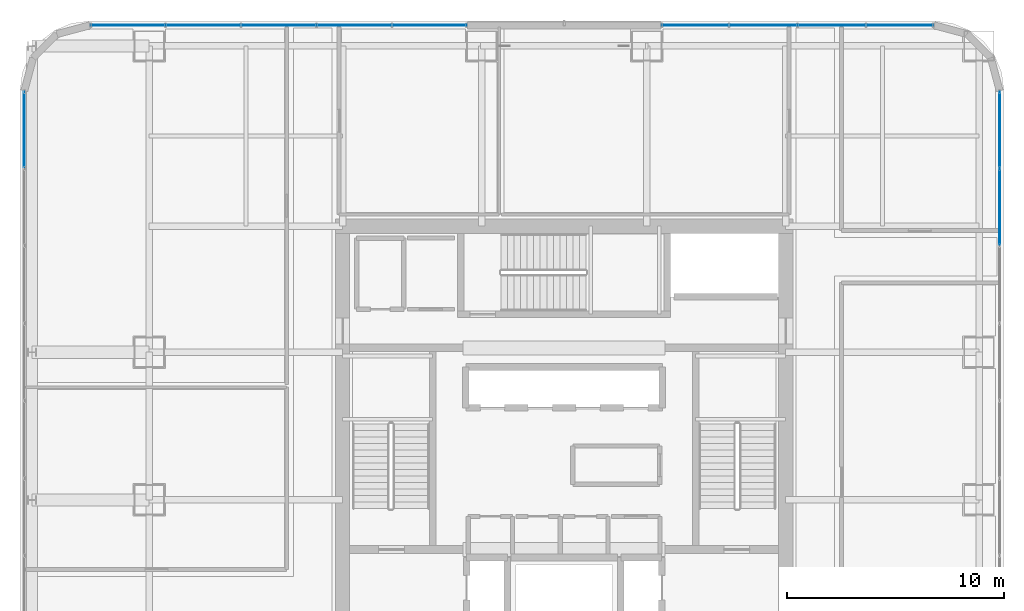
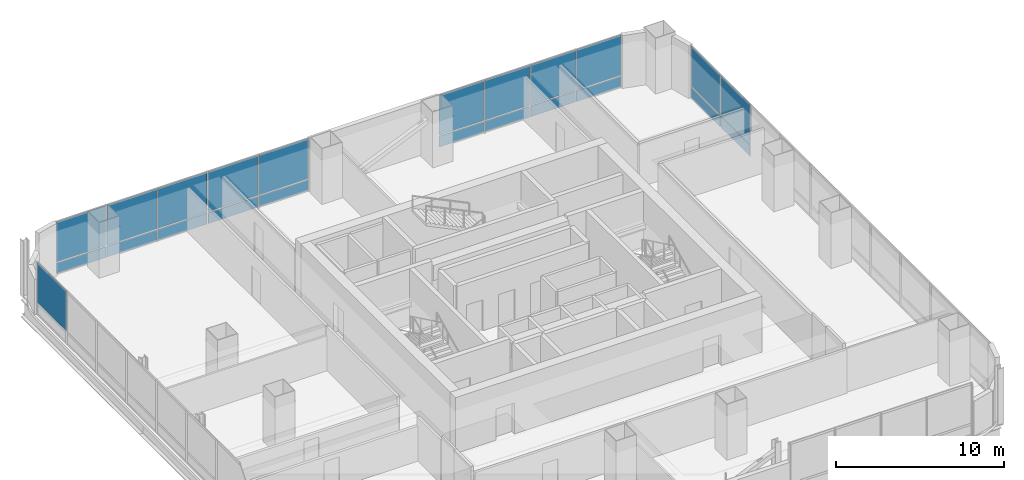
# One storey, part 26 of 38: 23 plates, 4 elements without a shape of their own.
"""IFC4 building model written with IfcOpenShell, lengths in metres."""

from ifc_helpers import new_model, si_unit, direction, frame, origin, origin_2d, place, context, subcontext, project, spatial, rectangle, extrude, material, layer, layer_set, type_object, element, aggregate, save


model = new_model("IFC4")

# Units and contexts
model_context = context("Model", 3, precision=1e-05, world=origin(), true_north=direction((0.0, 1.0)))
body_context = subcontext(model_context, "Body", "Model", "MODEL_VIEW")
ifc_project = project(units=[si_unit("LENGTHUNIT", "METRE"), si_unit("AREAUNIT", "SQUARE_METRE"), si_unit("VOLUMEUNIT", "CUBIC_METRE"), si_unit("PLANEANGLEUNIT", "RADIAN"), si_unit("MASSUNIT", "GRAM", prefix="KILO")], contexts=[model_context])

# Site, building, storey
site_placement = place(None, origin())
site = spatial("IfcSite", under=ifc_project, at=site_placement, CompositionType="ELEMENT")
building_placement = place(site_placement, origin())
building = spatial("IfcBuilding", under=site, at=building_placement, Name="Punatoya Terracotta Tower", CompositionType="ELEMENT")
storey_placement = place(building_placement, frame((0.0, 0.0, 188.39990234375)))
storey = spatial("IfcBuildingStorey", under=building, at=storey_placement, Name="L44", CompositionType="ELEMENT", Elevation=188.39990234375)

# Curtain wall, plates
ifc_material_1 = material(Name="Aluminium 6063-T6 + Double Low-E Glass", Category="aluminium")
curtain_wall_type = type_object("IfcCurtainWallType", Name="CW-M2", PredefinedType="NOTDEFINED", material=ifc_material_1)
curtain_wall_1_placement = place(storey_placement, origin())
curtain_wall_1 = element("IfcCurtainWall", 1, at=curtain_wall_1_placement, inside=storey, type_object=curtain_wall_type, Name="L44 Curtain Wall CW-L44-E05-1", PredefinedType="NOTDEFINED")
ifc_material_2 = material(Name="Double Low-E Acoustic Vision Glass", Category="glass")
ifc_layer_1 = layer(ifc_material_2, 0.031982421875)
ifc_layer_set_1 = layer_set([ifc_layer_1], Name="Double Low-E Acoustic Vision Glass")
plate_type_1 = type_object("IfcPlateType", Name="PLT-GLZ-32", PredefinedType="CURTAIN_PANEL", material=ifc_layer_set_1)
plate_1_placement = place(storey_placement, frame((20.050048828125, 10.085693359375, 0.89013671875), z_axis=(0.0, 0.0, 1.0), x_axis=(0.0, 1.0, 0.0)))
plate_1 = element("IfcPlate", 2, at=plate_1_placement, type_object=plate_type_1, Name="CW-L44-E05-1 Vision Glass Panel 9", PredefinedType="CURTAIN_PANEL", context=body_context, shape_type="SweptSolid", body=[
    extrude(rectangle(XDim=3.482421875, YDim=0.031982421875, at=origin_2d()), origin(), (0.0, 0.0, 1.0), 2.89990234375),
])
plate_2_placement = place(storey_placement, frame((20.050048828125, 13.6533203125, 0.89013671875), z_axis=(0.0, 0.0, 1.0), x_axis=(0.0, 1.0, 0.0)))
plate_2 = element("IfcPlate", 3, at=plate_2_placement, type_object=plate_type_1, Name="CW-L44-E05-1 Vision Glass Panel 10", PredefinedType="CURTAIN_PANEL", context=body_context, shape_type="SweptSolid", body=[
    extrude(rectangle(XDim=3.482421875, YDim=0.031982421875, at=origin_2d()), origin(), (0.0, 0.0, 1.0), 2.89990234375),
])

curtain_wall_2_placement = place(storey_placement, origin())
curtain_wall_2 = element("IfcCurtainWall", 4, at=curtain_wall_2_placement, inside=storey, type_object=curtain_wall_type, Name="L44 Curtain Wall CW-L44-N09-1", PredefinedType="NOTDEFINED")
plate_3_placement = place(storey_placement, frame((15.46337890625, 18.449951171875, 0.89013671875), z_axis=(0.0, 0.0, 1.0), x_axis=(-1.0, 0.0, 0.0)))
plate_3 = element("IfcPlate", 5, at=plate_3_placement, type_object=plate_type_1, Name="CW-L44-N09-1 Vision Glass Panel 1", PredefinedType="CURTAIN_PANEL", context=body_context, shape_type="SweptSolid", body=[
    extrude(rectangle(XDim=3.061767578125, YDim=0.031982421875, at=origin_2d()), origin(), (0.0, 0.0, 1.0), 2.89990234375),
])
plate_4_placement = place(storey_placement, frame((12.31689453125, 18.449951171875, 0.89013671875), z_axis=(0.0, 0.0, 1.0), x_axis=(-1.0, 0.0, 0.0)))
plate_4 = element("IfcPlate", 6, at=plate_4_placement, type_object=plate_type_1, Name="CW-L44-N09-1 Vision Glass Panel 2", PredefinedType="CURTAIN_PANEL", context=body_context, shape_type="SweptSolid", body=[
    extrude(rectangle(XDim=3.061767578125, YDim=0.031982421875, at=origin_2d()), origin(), (0.0, 0.0, 1.0), 2.89990234375),
])
plate_5_placement = place(storey_placement, frame((9.170166015625, 18.449951171875, 0.89013671875), z_axis=(0.0, 0.0, 1.0), x_axis=(-1.0, 0.0, 0.0)))
plate_5 = element("IfcPlate", 7, at=plate_5_placement, type_object=plate_type_1, Name="CW-L44-N09-1 Vision Glass Panel 3", PredefinedType="CURTAIN_PANEL", context=body_context, shape_type="SweptSolid", body=[
    extrude(rectangle(XDim=3.061767578125, YDim=0.031982421875, at=origin_2d()), origin(), (0.0, 0.0, 1.0), 2.89990234375),
])
plate_6_placement = place(storey_placement, frame((6.0234375, 18.449951171875, 0.89013671875), z_axis=(0.0, 0.0, 1.0), x_axis=(-1.0, 0.0, 0.0)))
plate_6 = element("IfcPlate", 8, at=plate_6_placement, type_object=plate_type_1, Name="CW-L44-N09-1 Vision Glass Panel 4", PredefinedType="CURTAIN_PANEL", context=body_context, shape_type="SweptSolid", body=[
    extrude(rectangle(XDim=3.061767578125, YDim=0.031982421875, at=origin_2d()), origin(), (0.0, 0.0, 1.0), 2.89990234375),
])

curtain_wall_3_placement = place(storey_placement, origin())
curtain_wall_3 = element("IfcCurtainWall", 9, at=curtain_wall_3_placement, inside=storey, type_object=curtain_wall_type, Name="L44 Curtain Wall CW-L44-N09-2", PredefinedType="NOTDEFINED")
plate_7_placement = place(storey_placement, frame((-6.188720703125, 18.449951171875, 0.89013671875), z_axis=(0.0, 0.0, 1.0), x_axis=(-1.0, 0.0, 0.0)))
plate_7 = element("IfcPlate", 10, at=plate_7_placement, type_object=plate_type_1, Name="CW-L44-N09-2 Vision Glass Panel 1", PredefinedType="CURTAIN_PANEL", context=body_context, shape_type="SweptSolid", body=[
    extrude(rectangle(XDim=3.392333984375, YDim=0.031982421875, at=origin_2d()), origin(), (0.0, 0.0, 1.0), 2.89990234375),
])
plate_8_placement = place(storey_placement, frame((-9.666015625, 18.449951171875, 0.89013671875), z_axis=(0.0, 0.0, 1.0), x_axis=(-1.0, 0.0, 0.0)))
plate_8 = element("IfcPlate", 11, at=plate_8_placement, type_object=plate_type_1, Name="CW-L44-N09-2 Vision Glass Panel 2", PredefinedType="CURTAIN_PANEL", context=body_context, shape_type="SweptSolid", body=[
    extrude(rectangle(XDim=3.392333984375, YDim=0.031982421875, at=origin_2d()), origin(), (0.0, 0.0, 1.0), 2.89990234375),
])
plate_9_placement = place(storey_placement, frame((-13.1435546875, 18.449951171875, 0.89013671875), z_axis=(0.0, 0.0, 1.0), x_axis=(-1.0, 0.0, 0.0)))
plate_9 = element("IfcPlate", 12, at=plate_9_placement, type_object=plate_type_1, Name="CW-L44-N09-2 Vision Glass Panel 3", PredefinedType="CURTAIN_PANEL", context=body_context, shape_type="SweptSolid", body=[
    extrude(rectangle(XDim=3.392333984375, YDim=0.031982421875, at=origin_2d()), origin(), (0.0, 0.0, 1.0), 2.89990234375),
])
plate_10_placement = place(storey_placement, frame((-16.620849609375, 18.449951171875, 0.89013671875), z_axis=(0.0, 0.0, 1.0), x_axis=(-1.0, 0.0, 0.0)))
plate_10 = element("IfcPlate", 13, at=plate_10_placement, type_object=plate_type_1, Name="CW-L44-N09-2 Vision Glass Panel 4", PredefinedType="CURTAIN_PANEL", context=body_context, shape_type="SweptSolid", body=[
    extrude(rectangle(XDim=3.392333984375, YDim=0.031982421875, at=origin_2d()), origin(), (0.0, 0.0, 1.0), 2.89990234375),
])
plate_11_placement = place(storey_placement, frame((-20.09814453125, 18.449951171875, 0.89013671875), z_axis=(0.0, 0.0, 1.0), x_axis=(-1.0, 0.0, 0.0)))
plate_11 = element("IfcPlate", 14, at=plate_11_placement, type_object=plate_type_1, Name="CW-L44-N09-2 Vision Glass Panel 5", PredefinedType="CURTAIN_PANEL", context=body_context, shape_type="SweptSolid", body=[
    extrude(rectangle(XDim=3.392333984375, YDim=0.031982421875, at=origin_2d()), origin(), (0.0, 0.0, 1.0), 2.89990234375),
])

# Curtain wall, plate
curtain_wall_4_placement = place(storey_placement, origin())
curtain_wall_4 = element("IfcCurtainWall", 15, at=curtain_wall_4_placement, inside=storey, type_object=curtain_wall_type, Name="L44 Curtain Wall CW-L44-W13-1", PredefinedType="NOTDEFINED")
plate_12_placement = place(storey_placement, frame((-24.85009765625, 13.6533203125, 0.89013671875), z_axis=(0.0, 0.0, 1.0), x_axis=(0.0, -1.0, 0.0)))
plate_12 = element("IfcPlate", 16, at=plate_12_placement, type_object=plate_type_1, Name="CW-L44-W13-1 Vision Glass Panel 1", PredefinedType="CURTAIN_PANEL", context=body_context, shape_type="SweptSolid", body=[
    extrude(rectangle(XDim=3.482421875, YDim=0.031982421875, at=origin_2d()), origin(), (0.0, 0.0, 1.0), 2.89990234375),
])
aggregate(curtain_wall_4, [plate_12])

# Plate
ifc_material_3 = material(Name="Insulated Terracotta-Backed Spandrel Panel", Category="masonry")
ifc_layer_2 = layer(ifc_material_3, 0.044921875)
ifc_layer_set_2 = layer_set([ifc_layer_2], Name="Insulated Terracotta-Backed Spandrel Panel")
plate_type_2 = type_object("IfcPlateType", Name="PLT-SPN-45", PredefinedType="CURTAIN_PANEL", material=ifc_layer_set_2)
plate_13_placement = place(storey_placement, frame((20.050048828125, 10.085693359375, 0.0400390625), z_axis=(0.0, 0.0, 1.0), x_axis=(0.0, 1.0, 0.0)))
plate_13 = element("IfcPlate", 17, at=plate_13_placement, type_object=plate_type_2, Name="CW-L44-E05-1 Terracotta Spandrel Panel 9", PredefinedType="CURTAIN_PANEL", context=body_context, shape_type="SweptSolid", body=[
    extrude(rectangle(XDim=3.482421875, YDim=0.044921875, at=origin_2d()), origin(), (0.0, 0.0, 1.0), 0.77490234375),
])

plate_14_placement = place(storey_placement, frame((20.050048828125, 13.6533203125, 0.0400390625), z_axis=(0.0, 0.0, 1.0), x_axis=(0.0, 1.0, 0.0)))
plate_14 = element("IfcPlate", 18, at=plate_14_placement, type_object=plate_type_2, Name="CW-L44-E05-1 Terracotta Spandrel Panel 10", PredefinedType="CURTAIN_PANEL", context=body_context, shape_type="SweptSolid", body=[
    extrude(rectangle(XDim=3.482421875, YDim=0.044921875, at=origin_2d()), origin(), (0.0, 0.0, 1.0), 0.77490234375),
])

aggregate(curtain_wall_1, [plate_13, plate_1, plate_14, plate_2])

plate_15_placement = place(storey_placement, frame((15.46337890625, 18.449951171875, 0.0400390625), z_axis=(0.0, 0.0, 1.0), x_axis=(-1.0, 0.0, 0.0)))
plate_15 = element("IfcPlate", 19, at=plate_15_placement, type_object=plate_type_2, Name="CW-L44-N09-1 Terracotta Spandrel Panel 1", PredefinedType="CURTAIN_PANEL", context=body_context, shape_type="SweptSolid", body=[
    extrude(rectangle(XDim=3.061767578125, YDim=0.044921875, at=origin_2d()), origin(), (0.0, 0.0, 1.0), 0.77490234375),
])

plate_16_placement = place(storey_placement, frame((12.31689453125, 18.449951171875, 0.0400390625), z_axis=(0.0, 0.0, 1.0), x_axis=(-1.0, 0.0, 0.0)))
plate_16 = element("IfcPlate", 20, at=plate_16_placement, type_object=plate_type_2, Name="CW-L44-N09-1 Terracotta Spandrel Panel 2", PredefinedType="CURTAIN_PANEL", context=body_context, shape_type="SweptSolid", body=[
    extrude(rectangle(XDim=3.061767578125, YDim=0.044921875, at=origin_2d()), origin(), (0.0, 0.0, 1.0), 0.77490234375),
])

plate_17_placement = place(storey_placement, frame((9.170166015625, 18.449951171875, 0.0400390625), z_axis=(0.0, 0.0, 1.0), x_axis=(-1.0, 0.0, 0.0)))
plate_17 = element("IfcPlate", 21, at=plate_17_placement, type_object=plate_type_2, Name="CW-L44-N09-1 Terracotta Spandrel Panel 3", PredefinedType="CURTAIN_PANEL", context=body_context, shape_type="SweptSolid", body=[
    extrude(rectangle(XDim=3.061767578125, YDim=0.044921875, at=origin_2d()), origin(), (0.0, 0.0, 1.0), 0.77490234375),
])

plate_18_placement = place(storey_placement, frame((6.0234375, 18.449951171875, 0.0400390625), z_axis=(0.0, 0.0, 1.0), x_axis=(-1.0, 0.0, 0.0)))
plate_18 = element("IfcPlate", 22, at=plate_18_placement, type_object=plate_type_2, Name="CW-L44-N09-1 Terracotta Spandrel Panel 4", PredefinedType="CURTAIN_PANEL", context=body_context, shape_type="SweptSolid", body=[
    extrude(rectangle(XDim=3.061767578125, YDim=0.044921875, at=origin_2d()), origin(), (0.0, 0.0, 1.0), 0.77490234375),
])

aggregate(curtain_wall_2, [plate_15, plate_3, plate_16, plate_4, plate_17, plate_5, plate_18, plate_6])

plate_19_placement = place(storey_placement, frame((-6.188720703125, 18.449951171875, 0.0400390625), z_axis=(0.0, 0.0, 1.0), x_axis=(-1.0, 0.0, 0.0)))
plate_19 = element("IfcPlate", 23, at=plate_19_placement, type_object=plate_type_2, Name="CW-L44-N09-2 Terracotta Spandrel Panel 1", PredefinedType="CURTAIN_PANEL", context=body_context, shape_type="SweptSolid", body=[
    extrude(rectangle(XDim=3.392333984375, YDim=0.044921875, at=origin_2d()), origin(), (0.0, 0.0, 1.0), 0.77490234375),
])

plate_20_placement = place(storey_placement, frame((-9.666015625, 18.449951171875, 0.0400390625), z_axis=(0.0, 0.0, 1.0), x_axis=(-1.0, 0.0, 0.0)))
plate_20 = element("IfcPlate", 24, at=plate_20_placement, type_object=plate_type_2, Name="CW-L44-N09-2 Terracotta Spandrel Panel 2", PredefinedType="CURTAIN_PANEL", context=body_context, shape_type="SweptSolid", body=[
    extrude(rectangle(XDim=3.392333984375, YDim=0.044921875, at=origin_2d()), origin(), (0.0, 0.0, 1.0), 0.77490234375),
])

plate_21_placement = place(storey_placement, frame((-13.1435546875, 18.449951171875, 0.0400390625), z_axis=(0.0, 0.0, 1.0), x_axis=(-1.0, 0.0, 0.0)))
plate_21 = element("IfcPlate", 25, at=plate_21_placement, type_object=plate_type_2, Name="CW-L44-N09-2 Terracotta Spandrel Panel 3", PredefinedType="CURTAIN_PANEL", context=body_context, shape_type="SweptSolid", body=[
    extrude(rectangle(XDim=3.392333984375, YDim=0.044921875, at=origin_2d()), origin(), (0.0, 0.0, 1.0), 0.77490234375),
])

plate_22_placement = place(storey_placement, frame((-16.620849609375, 18.449951171875, 0.0400390625), z_axis=(0.0, 0.0, 1.0), x_axis=(-1.0, 0.0, 0.0)))
plate_22 = element("IfcPlate", 26, at=plate_22_placement, type_object=plate_type_2, Name="CW-L44-N09-2 Terracotta Spandrel Panel 4", PredefinedType="CURTAIN_PANEL", context=body_context, shape_type="SweptSolid", body=[
    extrude(rectangle(XDim=3.392333984375, YDim=0.044921875, at=origin_2d()), origin(), (0.0, 0.0, 1.0), 0.77490234375),
])

plate_23_placement = place(storey_placement, frame((-20.09814453125, 18.449951171875, 0.0400390625), z_axis=(0.0, 0.0, 1.0), x_axis=(-1.0, 0.0, 0.0)))
plate_23 = element("IfcPlate", 27, at=plate_23_placement, type_object=plate_type_2, Name="CW-L44-N09-2 Terracotta Spandrel Panel 5", PredefinedType="CURTAIN_PANEL", context=body_context, shape_type="SweptSolid", body=[
    extrude(rectangle(XDim=3.392333984375, YDim=0.044921875, at=origin_2d()), origin(), (0.0, 0.0, 1.0), 0.77490234375),
])

aggregate(curtain_wall_3, [plate_19, plate_7, plate_20, plate_8, plate_21, plate_9, plate_22, plate_10, plate_23, plate_11])

save(model, "model.ifc")
